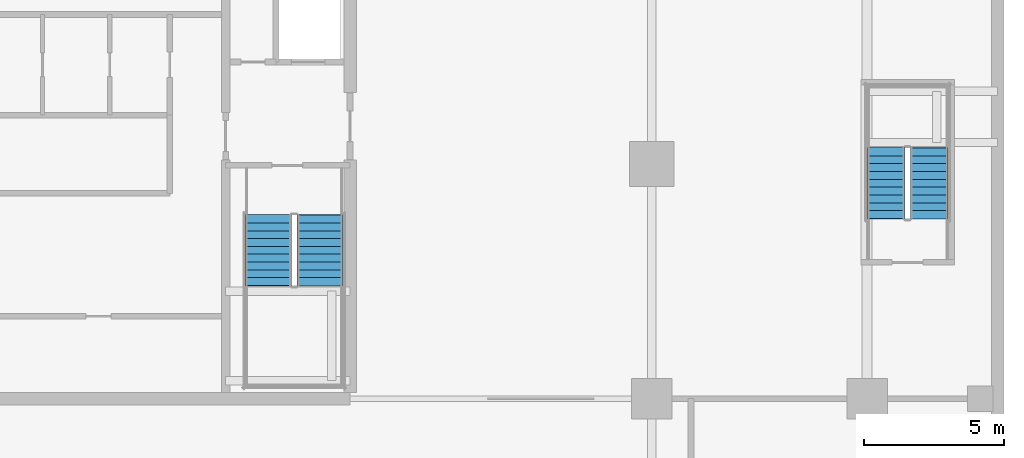
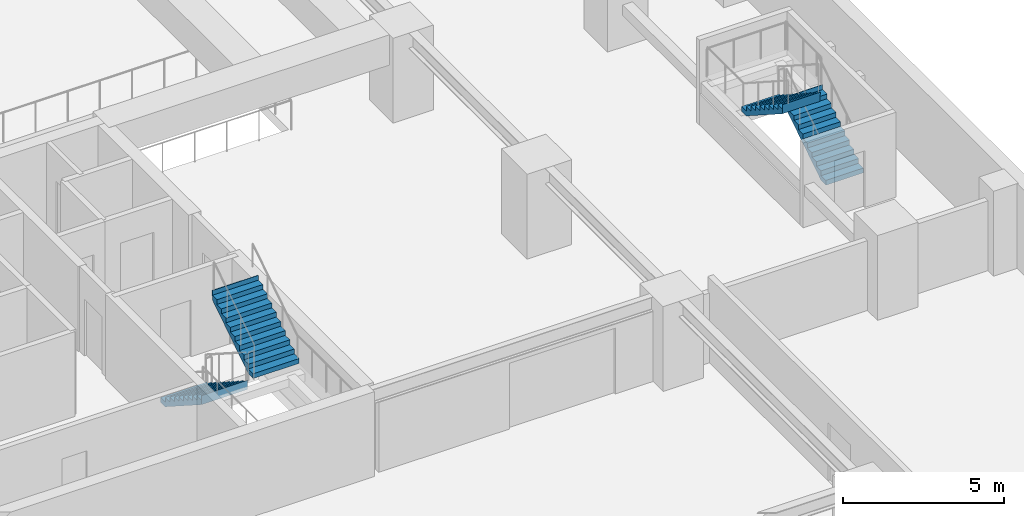
# One storey, part 7 of 10: 4 stair flights, 2 elements without a shape of their own.
"""IFC4 building model written with IfcOpenShell, lengths in metres."""

from ifc_helpers import new_model, si_unit, direction, frame, origin, place, context, subcontext, project, spatial, polygons, material, type_object, element, aggregate, save


model = new_model("IFC4")

# Units and contexts
model_context = context("Model", 3, precision=1e-05, world=origin(), true_north=direction((0.0, 1.0)))
body_context = subcontext(model_context, "Body", "Model", "MODEL_VIEW")
ifc_project = project(units=[si_unit("LENGTHUNIT", "METRE"), si_unit("AREAUNIT", "SQUARE_METRE"), si_unit("VOLUMEUNIT", "CUBIC_METRE"), si_unit("PLANEANGLEUNIT", "RADIAN"), si_unit("MASSUNIT", "GRAM", prefix="KILO")], contexts=[model_context])

# Site, building, storey
site_placement = place(None, origin())
site = spatial("IfcSite", under=ifc_project, at=site_placement, CompositionType="ELEMENT")
building_placement = place(site_placement, origin())
building = spatial("IfcBuilding", under=site, at=building_placement, Name="Serunith Strait Residences", CompositionType="ELEMENT")
storey_placement = place(building_placement, frame((0.0, 0.0, -3.60009765625)))
storey = spatial("IfcBuildingStorey", under=building, at=storey_placement, Name="B01", CompositionType="ELEMENT", Elevation=-3.60009765625)

# Stair, stair flights
ifc_material = material(Name="Concrete C50/60", Category="concrete")
stair_type_1 = type_object("IfcStairType", Name="STR-BSMT-6", PredefinedType="HALF_TURN_STAIR", material=ifc_material)
stair_1_placement = place(storey_placement, origin())
stair_1 = element("IfcStair", 1, at=stair_1_placement, inside=storey, type_object=stair_type_1, Name="B01 Basement Escape Stair ST-6", PredefinedType="HALF_TURN_STAIR")
stair_flight_type_1 = type_object("IfcStairFlightType", Name="FLT-BSMT-6", PredefinedType="STRAIGHT", material=ifc_material)
stair_flight_1_placement = place(storey_placement, frame((62.125, 23.25, 0.0), z_axis=(0.0, 0.0, 1.0), x_axis=(0.0, 1.0, 0.0)))
stair_flight_1 = element("IfcStairFlight", 2, at=stair_flight_1_placement, type_object=stair_flight_type_1, Name="ST-6 flight 1", NumberOfRisers=10, NumberOfTreads=9, PredefinedType="STRAIGHT", RiserHeight=0.18, TreadLength=0.28, context=body_context, shape_type="Tessellation", body=[
    polygons([(-0.02001953125, -0.675048828125, 0.0), (-0.02001953125, -0.675048828125, 0.179931640625), (0.280029296875, -0.675048828125, 0.179931640625), (0.280029296875, -0.675048828125, 0.360107421875), (0.56005859375, -0.675048828125, 0.360107421875), (0.56005859375, -0.675048828125, 0.5400390625), (0.840087890625, -0.675048828125, 0.5400390625), (0.840087890625, -0.675048828125, 0.719970703125), (1.1201171875, -0.675048828125, 0.719970703125), (1.1201171875, -0.675048828125, 0.89990234375), (1.39990234375, -0.675048828125, 0.89990234375), (1.39990234375, -0.675048828125, 1.080078125), (1.679931640625, -0.675048828125, 1.080078125), (1.679931640625, -0.675048828125, 1.260009765625), (1.9599609375, -0.675048828125, 1.260009765625), (1.9599609375, -0.675048828125, 1.43994140625), (2.239990234375, -0.675048828125, 1.43994140625), (2.239990234375, -0.675048828125, 1.6201171875), (2.52001953125, -0.675048828125, 1.6201171875), (2.52001953125, -0.675048828125, 1.800048828125), (2.5400390625, -0.675048828125, 1.800048828125), (2.5400390625, -0.675048828125, 1.739990234375), (2.52001953125, -0.675048828125, 1.44189453125), (0.277099609375, -0.675048828125, 0.0), (-0.02001953125, -0.33740234375, 0.0), (-0.02001953125, -0.33740234375, 0.179931640625), (0.280029296875, -0.33740234375, 0.179931640625), (0.280029296875, -0.33740234375, 0.360107421875), (0.56005859375, -0.33740234375, 0.360107421875), (0.56005859375, -0.33740234375, 0.5400390625), (0.840087890625, -0.33740234375, 0.5400390625), (0.840087890625, -0.33740234375, 0.719970703125), (1.1201171875, -0.33740234375, 0.719970703125), (1.1201171875, -0.33740234375, 0.89990234375), (1.39990234375, -0.33740234375, 0.89990234375), (1.39990234375, -0.33740234375, 1.080078125), (1.679931640625, -0.33740234375, 1.080078125), (1.679931640625, -0.33740234375, 1.260009765625), (1.9599609375, -0.33740234375, 1.260009765625), (1.9599609375, -0.33740234375, 1.43994140625), (2.239990234375, -0.33740234375, 1.43994140625), (2.239990234375, -0.33740234375, 1.6201171875), (2.52001953125, -0.33740234375, 1.6201171875), (2.52001953125, -0.33740234375, 1.800048828125), (2.5400390625, -0.33740234375, 1.800048828125), (2.5400390625, -0.33740234375, 1.739990234375), (2.52001953125, -0.33740234375, 1.44189453125), (0.277099609375, -0.33740234375, 0.0), (-0.02001953125, 0.0, 0.0), (-0.02001953125, 0.0, 0.179931640625), (0.280029296875, 0.0, 0.179931640625), (0.280029296875, 0.0, 0.360107421875), (0.56005859375, 0.0, 0.360107421875), (0.56005859375, 0.0, 0.5400390625), (0.840087890625, 0.0, 0.5400390625), (0.840087890625, 0.0, 0.719970703125), (1.1201171875, 0.0, 0.719970703125), (1.1201171875, 0.0, 0.89990234375), (1.39990234375, 0.0, 0.89990234375), (1.39990234375, 0.0, 1.080078125), (1.679931640625, 0.0, 1.080078125), (1.679931640625, 0.0, 1.260009765625), (1.9599609375, 0.0, 1.260009765625), (1.9599609375, 0.0, 1.43994140625), (2.239990234375, 0.0, 1.43994140625), (2.239990234375, 0.0, 1.6201171875), (2.52001953125, 0.0, 1.6201171875), (2.52001953125, 0.0, 1.800048828125), (2.5400390625, 0.0, 1.800048828125), (2.5400390625, 0.0, 1.739990234375), (2.52001953125, 0.0, 1.44189453125), (0.277099609375, 0.0, 0.0), (-0.02001953125, 0.33740234375, 0.0), (-0.02001953125, 0.33740234375, 0.179931640625), (0.280029296875, 0.33740234375, 0.179931640625), (0.280029296875, 0.33740234375, 0.360107421875), (0.56005859375, 0.33740234375, 0.360107421875), (0.56005859375, 0.33740234375, 0.5400390625), (0.840087890625, 0.33740234375, 0.5400390625), (0.840087890625, 0.33740234375, 0.719970703125), (1.1201171875, 0.33740234375, 0.719970703125), (1.1201171875, 0.33740234375, 0.89990234375), (1.39990234375, 0.33740234375, 0.89990234375), (1.39990234375, 0.33740234375, 1.080078125), (1.679931640625, 0.33740234375, 1.080078125), (1.679931640625, 0.33740234375, 1.260009765625), (1.9599609375, 0.33740234375, 1.260009765625), (1.9599609375, 0.33740234375, 1.43994140625), (2.239990234375, 0.33740234375, 1.43994140625), (2.239990234375, 0.33740234375, 1.6201171875), (2.52001953125, 0.33740234375, 1.6201171875), (2.52001953125, 0.33740234375, 1.800048828125), (2.5400390625, 0.33740234375, 1.800048828125), (2.5400390625, 0.33740234375, 1.739990234375), (2.52001953125, 0.33740234375, 1.44189453125), (0.277099609375, 0.33740234375, 0.0), (-0.02001953125, 0.675048828125, 0.0), (-0.02001953125, 0.675048828125, 0.179931640625), (0.280029296875, 0.675048828125, 0.179931640625), (0.280029296875, 0.675048828125, 0.360107421875), (0.56005859375, 0.675048828125, 0.360107421875), (0.56005859375, 0.675048828125, 0.5400390625), (0.840087890625, 0.675048828125, 0.5400390625), (0.840087890625, 0.675048828125, 0.719970703125), (1.1201171875, 0.675048828125, 0.719970703125), (1.1201171875, 0.675048828125, 0.89990234375), (1.39990234375, 0.675048828125, 0.89990234375), (1.39990234375, 0.675048828125, 1.080078125), (1.679931640625, 0.675048828125, 1.080078125), (1.679931640625, 0.675048828125, 1.260009765625), (1.9599609375, 0.675048828125, 1.260009765625), (1.9599609375, 0.675048828125, 1.43994140625), (2.239990234375, 0.675048828125, 1.43994140625), (2.239990234375, 0.675048828125, 1.6201171875), (2.52001953125, 0.675048828125, 1.6201171875), (2.52001953125, 0.675048828125, 1.800048828125), (2.5400390625, 0.675048828125, 1.800048828125), (2.5400390625, 0.675048828125, 1.739990234375), (2.52001953125, 0.675048828125, 1.44189453125), (0.277099609375, 0.675048828125, 0.0)], [[[1, 2, 26, 25]], [[2, 3, 27, 26]], [[3, 4, 28, 27]], [[4, 5, 29, 28]], [[5, 6, 30, 29]], [[6, 7, 31, 30]], [[7, 8, 32, 31]], [[8, 9, 33, 32]], [[9, 10, 34, 33]], [[10, 11, 35, 34]], [[11, 12, 36, 35]], [[12, 13, 37, 36]], [[13, 14, 38, 37]], [[14, 15, 39, 38]], [[15, 16, 40, 39]], [[16, 17, 41, 40]], [[17, 18, 42, 41]], [[18, 19, 43, 42]], [[19, 20, 44, 43]], [[20, 21, 45, 44]], [[21, 22, 46, 45]], [[22, 23, 47, 46]], [[23, 24, 48, 47]], [[24, 1, 25, 48]], [[25, 26, 50, 49]], [[26, 27, 51, 50]], [[27, 28, 52, 51]], [[28, 29, 53, 52]], [[29, 30, 54, 53]], [[30, 31, 55, 54]], [[31, 32, 56, 55]], [[32, 33, 57, 56]], [[33, 34, 58, 57]], [[34, 35, 59, 58]], [[35, 36, 60, 59]], [[36, 37, 61, 60]], [[37, 38, 62, 61]], [[38, 39, 63, 62]], [[39, 40, 64, 63]], [[40, 41, 65, 64]], [[41, 42, 66, 65]], [[42, 43, 67, 66]], [[43, 44, 68, 67]], [[44, 45, 69, 68]], [[45, 46, 70, 69]], [[46, 47, 71, 70]], [[47, 48, 72, 71]], [[48, 25, 49, 72]], [[49, 50, 74, 73]], [[50, 51, 75, 74]], [[51, 52, 76, 75]], [[52, 53, 77, 76]], [[53, 54, 78, 77]], [[54, 55, 79, 78]], [[55, 56, 80, 79]], [[56, 57, 81, 80]], [[57, 58, 82, 81]], [[58, 59, 83, 82]], [[59, 60, 84, 83]], [[60, 61, 85, 84]], [[61, 62, 86, 85]], [[62, 63, 87, 86]], [[63, 64, 88, 87]], [[64, 65, 89, 88]], [[65, 66, 90, 89]], [[66, 67, 91, 90]], [[67, 68, 92, 91]], [[68, 69, 93, 92]], [[69, 70, 94, 93]], [[70, 71, 95, 94]], [[71, 72, 96, 95]], [[72, 49, 73, 96]], [[73, 74, 98, 97]], [[74, 75, 99, 98]], [[75, 76, 100, 99]], [[76, 77, 101, 100]], [[77, 78, 102, 101]], [[78, 79, 103, 102]], [[79, 80, 104, 103]], [[80, 81, 105, 104]], [[81, 82, 106, 105]], [[82, 83, 107, 106]], [[83, 84, 108, 107]], [[84, 85, 109, 108]], [[85, 86, 110, 109]], [[86, 87, 111, 110]], [[87, 88, 112, 111]], [[88, 89, 113, 112]], [[89, 90, 114, 113]], [[90, 91, 115, 114]], [[91, 92, 116, 115]], [[92, 93, 117, 116]], [[93, 94, 118, 117]], [[94, 95, 119, 118]], [[95, 96, 120, 119]], [[96, 73, 97, 120]], [[24, 23, 22, 21, 20, 19, 18, 17, 16, 15, 14, 13, 12, 11, 10, 9, 8, 7, 6, 5, 4, 3, 2, 1]], [[97, 98, 99, 100, 101, 102, 103, 104, 105, 106, 107, 108, 109, 110, 111, 112, 113, 114, 115, 116, 117, 118, 119, 120]]], closed=True),
])
stair_flight_2_placement = place(storey_placement, frame((60.574951171875, 25.77001953125, 1.800048828125), z_axis=(0.0, 0.0, 1.0), x_axis=(0.0, -1.0, 0.0)))
stair_flight_2 = element("IfcStairFlight", 3, at=stair_flight_2_placement, type_object=stair_flight_type_1, Name="ST-6 flight 2", NumberOfRisers=10, NumberOfTreads=9, PredefinedType="STRAIGHT", RiserHeight=0.18, TreadLength=0.28, context=body_context, shape_type="Tessellation", body=[
    polygons([(-0.02001953125, -0.675048828125, 0.0), (-0.02001953125, -0.675048828125, 0.179931640625), (0.280029296875, -0.675048828125, 0.179931640625), (0.280029296875, -0.675048828125, 0.360107421875), (0.56005859375, -0.675048828125, 0.360107421875), (0.56005859375, -0.675048828125, 0.5400390625), (0.840087890625, -0.675048828125, 0.5400390625), (0.840087890625, -0.675048828125, 0.719970703125), (1.1201171875, -0.675048828125, 0.719970703125), (1.1201171875, -0.675048828125, 0.89990234375), (1.39990234375, -0.675048828125, 0.89990234375), (1.39990234375, -0.675048828125, 1.080078125), (1.679931640625, -0.675048828125, 1.080078125), (1.679931640625, -0.675048828125, 1.260009765625), (1.9599609375, -0.675048828125, 1.260009765625), (1.9599609375, -0.675048828125, 1.43994140625), (2.239990234375, -0.675048828125, 1.43994140625), (2.239990234375, -0.675048828125, 1.6201171875), (2.52001953125, -0.675048828125, 1.6201171875), (2.52001953125, -0.675048828125, 1.800048828125), (2.5400390625, -0.675048828125, 1.800048828125), (2.5400390625, -0.675048828125, 1.739990234375), (2.52001953125, -0.675048828125, 1.44189453125), (0.277099609375, -0.675048828125, 0.0), (-0.02001953125, -0.33740234375, 0.0), (-0.02001953125, -0.33740234375, 0.179931640625), (0.280029296875, -0.33740234375, 0.179931640625), (0.280029296875, -0.33740234375, 0.360107421875), (0.56005859375, -0.33740234375, 0.360107421875), (0.56005859375, -0.33740234375, 0.5400390625), (0.840087890625, -0.33740234375, 0.5400390625), (0.840087890625, -0.33740234375, 0.719970703125), (1.1201171875, -0.33740234375, 0.719970703125), (1.1201171875, -0.33740234375, 0.89990234375), (1.39990234375, -0.33740234375, 0.89990234375), (1.39990234375, -0.33740234375, 1.080078125), (1.679931640625, -0.33740234375, 1.080078125), (1.679931640625, -0.33740234375, 1.260009765625), (1.9599609375, -0.33740234375, 1.260009765625), (1.9599609375, -0.33740234375, 1.43994140625), (2.239990234375, -0.33740234375, 1.43994140625), (2.239990234375, -0.33740234375, 1.6201171875), (2.52001953125, -0.33740234375, 1.6201171875), (2.52001953125, -0.33740234375, 1.800048828125), (2.5400390625, -0.33740234375, 1.800048828125), (2.5400390625, -0.33740234375, 1.739990234375), (2.52001953125, -0.33740234375, 1.44189453125), (0.277099609375, -0.33740234375, 0.0), (-0.02001953125, 0.0, 0.0), (-0.02001953125, 0.0, 0.179931640625), (0.280029296875, 0.0, 0.179931640625), (0.280029296875, 0.0, 0.360107421875), (0.56005859375, 0.0, 0.360107421875), (0.56005859375, 0.0, 0.5400390625), (0.840087890625, 0.0, 0.5400390625), (0.840087890625, 0.0, 0.719970703125), (1.1201171875, 0.0, 0.719970703125), (1.1201171875, 0.0, 0.89990234375), (1.39990234375, 0.0, 0.89990234375), (1.39990234375, 0.0, 1.080078125), (1.679931640625, 0.0, 1.080078125), (1.679931640625, 0.0, 1.260009765625), (1.9599609375, 0.0, 1.260009765625), (1.9599609375, 0.0, 1.43994140625), (2.239990234375, 0.0, 1.43994140625), (2.239990234375, 0.0, 1.6201171875), (2.52001953125, 0.0, 1.6201171875), (2.52001953125, 0.0, 1.800048828125), (2.5400390625, 0.0, 1.800048828125), (2.5400390625, 0.0, 1.739990234375), (2.52001953125, 0.0, 1.44189453125), (0.277099609375, 0.0, 0.0), (-0.02001953125, 0.33740234375, 0.0), (-0.02001953125, 0.33740234375, 0.179931640625), (0.280029296875, 0.33740234375, 0.179931640625), (0.280029296875, 0.33740234375, 0.360107421875), (0.56005859375, 0.33740234375, 0.360107421875), (0.56005859375, 0.33740234375, 0.5400390625), (0.840087890625, 0.33740234375, 0.5400390625), (0.840087890625, 0.33740234375, 0.719970703125), (1.1201171875, 0.33740234375, 0.719970703125), (1.1201171875, 0.33740234375, 0.89990234375), (1.39990234375, 0.33740234375, 0.89990234375), (1.39990234375, 0.33740234375, 1.080078125), (1.679931640625, 0.33740234375, 1.080078125), (1.679931640625, 0.33740234375, 1.260009765625), (1.9599609375, 0.33740234375, 1.260009765625), (1.9599609375, 0.33740234375, 1.43994140625), (2.239990234375, 0.33740234375, 1.43994140625), (2.239990234375, 0.33740234375, 1.6201171875), (2.52001953125, 0.33740234375, 1.6201171875), (2.52001953125, 0.33740234375, 1.800048828125), (2.5400390625, 0.33740234375, 1.800048828125), (2.5400390625, 0.33740234375, 1.739990234375), (2.52001953125, 0.33740234375, 1.44189453125), (0.277099609375, 0.33740234375, 0.0), (-0.02001953125, 0.675048828125, 0.0), (-0.02001953125, 0.675048828125, 0.179931640625), (0.280029296875, 0.675048828125, 0.179931640625), (0.280029296875, 0.675048828125, 0.360107421875), (0.56005859375, 0.675048828125, 0.360107421875), (0.56005859375, 0.675048828125, 0.5400390625), (0.840087890625, 0.675048828125, 0.5400390625), (0.840087890625, 0.675048828125, 0.719970703125), (1.1201171875, 0.675048828125, 0.719970703125), (1.1201171875, 0.675048828125, 0.89990234375), (1.39990234375, 0.675048828125, 0.89990234375), (1.39990234375, 0.675048828125, 1.080078125), (1.679931640625, 0.675048828125, 1.080078125), (1.679931640625, 0.675048828125, 1.260009765625), (1.9599609375, 0.675048828125, 1.260009765625), (1.9599609375, 0.675048828125, 1.43994140625), (2.239990234375, 0.675048828125, 1.43994140625), (2.239990234375, 0.675048828125, 1.6201171875), (2.52001953125, 0.675048828125, 1.6201171875), (2.52001953125, 0.675048828125, 1.800048828125), (2.5400390625, 0.675048828125, 1.800048828125), (2.5400390625, 0.675048828125, 1.739990234375), (2.52001953125, 0.675048828125, 1.44189453125), (0.277099609375, 0.675048828125, 0.0)], [[[1, 2, 26, 25]], [[2, 3, 27, 26]], [[3, 4, 28, 27]], [[4, 5, 29, 28]], [[5, 6, 30, 29]], [[6, 7, 31, 30]], [[7, 8, 32, 31]], [[8, 9, 33, 32]], [[9, 10, 34, 33]], [[10, 11, 35, 34]], [[11, 12, 36, 35]], [[12, 13, 37, 36]], [[13, 14, 38, 37]], [[14, 15, 39, 38]], [[15, 16, 40, 39]], [[16, 17, 41, 40]], [[17, 18, 42, 41]], [[18, 19, 43, 42]], [[19, 20, 44, 43]], [[20, 21, 45, 44]], [[21, 22, 46, 45]], [[22, 23, 47, 46]], [[23, 24, 48, 47]], [[24, 1, 25, 48]], [[25, 26, 50, 49]], [[26, 27, 51, 50]], [[27, 28, 52, 51]], [[28, 29, 53, 52]], [[29, 30, 54, 53]], [[30, 31, 55, 54]], [[31, 32, 56, 55]], [[32, 33, 57, 56]], [[33, 34, 58, 57]], [[34, 35, 59, 58]], [[35, 36, 60, 59]], [[36, 37, 61, 60]], [[37, 38, 62, 61]], [[38, 39, 63, 62]], [[39, 40, 64, 63]], [[40, 41, 65, 64]], [[41, 42, 66, 65]], [[42, 43, 67, 66]], [[43, 44, 68, 67]], [[44, 45, 69, 68]], [[45, 46, 70, 69]], [[46, 47, 71, 70]], [[47, 48, 72, 71]], [[48, 25, 49, 72]], [[49, 50, 74, 73]], [[50, 51, 75, 74]], [[51, 52, 76, 75]], [[52, 53, 77, 76]], [[53, 54, 78, 77]], [[54, 55, 79, 78]], [[55, 56, 80, 79]], [[56, 57, 81, 80]], [[57, 58, 82, 81]], [[58, 59, 83, 82]], [[59, 60, 84, 83]], [[60, 61, 85, 84]], [[61, 62, 86, 85]], [[62, 63, 87, 86]], [[63, 64, 88, 87]], [[64, 65, 89, 88]], [[65, 66, 90, 89]], [[66, 67, 91, 90]], [[67, 68, 92, 91]], [[68, 69, 93, 92]], [[69, 70, 94, 93]], [[70, 71, 95, 94]], [[71, 72, 96, 95]], [[72, 49, 73, 96]], [[73, 74, 98, 97]], [[74, 75, 99, 98]], [[75, 76, 100, 99]], [[76, 77, 101, 100]], [[77, 78, 102, 101]], [[78, 79, 103, 102]], [[79, 80, 104, 103]], [[80, 81, 105, 104]], [[81, 82, 106, 105]], [[82, 83, 107, 106]], [[83, 84, 108, 107]], [[84, 85, 109, 108]], [[85, 86, 110, 109]], [[86, 87, 111, 110]], [[87, 88, 112, 111]], [[88, 89, 113, 112]], [[89, 90, 114, 113]], [[90, 91, 115, 114]], [[91, 92, 116, 115]], [[92, 93, 117, 116]], [[93, 94, 118, 117]], [[94, 95, 119, 118]], [[95, 96, 120, 119]], [[96, 73, 97, 120]], [[24, 23, 22, 21, 20, 19, 18, 17, 16, 15, 14, 13, 12, 11, 10, 9, 8, 7, 6, 5, 4, 3, 2, 1]], [[97, 98, 99, 100, 101, 102, 103, 104, 105, 106, 107, 108, 109, 110, 111, 112, 113, 114, 115, 116, 117, 118, 119, 120]]], closed=True),
])
aggregate(stair_1, [stair_flight_1, stair_flight_2])

stair_type_2 = type_object("IfcStairType", Name="STR-CORE-2", PredefinedType="HALF_TURN_STAIR", material=ifc_material)
stair_2_placement = place(storey_placement, origin())
stair_2 = element("IfcStair", 4, at=stair_2_placement, inside=storey, type_object=stair_type_2, Name="B01 Protected Escape Stair ST-2", PredefinedType="HALF_TURN_STAIR")
stair_flight_type_2 = type_object("IfcStairFlightType", Name="FLT-CORE-2", PredefinedType="STRAIGHT", material=ifc_material)
stair_flight_3_placement = place(storey_placement, frame((38.47509765625, 23.3701171875, 0.0), z_axis=(0.0, 0.0, 1.0), x_axis=(0.0, -1.0, 0.0)))
stair_flight_3 = element("IfcStairFlight", 5, at=stair_flight_3_placement, type_object=stair_flight_type_2, Name="ST-2 flight 1", NumberOfRisers=10, NumberOfTreads=9, PredefinedType="STRAIGHT", RiserHeight=0.18, TreadLength=0.28, context=body_context, shape_type="Tessellation", body=[
    polygons([(-0.02001953125, -0.824951171875, 0.0), (-0.02001953125, -0.824951171875, 0.179931640625), (0.280029296875, -0.824951171875, 0.179931640625), (0.280029296875, -0.824951171875, 0.360107421875), (0.56005859375, -0.824951171875, 0.360107421875), (0.56005859375, -0.824951171875, 0.5400390625), (0.840087890625, -0.824951171875, 0.5400390625), (0.840087890625, -0.824951171875, 0.719970703125), (1.1201171875, -0.824951171875, 0.719970703125), (1.1201171875, -0.824951171875, 0.89990234375), (1.39990234375, -0.824951171875, 0.89990234375), (1.39990234375, -0.824951171875, 1.080078125), (1.679931640625, -0.824951171875, 1.080078125), (1.679931640625, -0.824951171875, 1.260009765625), (1.9599609375, -0.824951171875, 1.260009765625), (1.9599609375, -0.824951171875, 1.43994140625), (2.239990234375, -0.824951171875, 1.43994140625), (2.239990234375, -0.824951171875, 1.6201171875), (2.52001953125, -0.824951171875, 1.6201171875), (2.52001953125, -0.824951171875, 1.800048828125), (2.5400390625, -0.824951171875, 1.800048828125), (2.5400390625, -0.824951171875, 1.739990234375), (2.52001953125, -0.824951171875, 1.44189453125), (0.277099609375, -0.824951171875, 0.0), (-0.02001953125, -0.41259765625, 0.0), (-0.02001953125, -0.41259765625, 0.179931640625), (0.280029296875, -0.41259765625, 0.179931640625), (0.280029296875, -0.41259765625, 0.360107421875), (0.56005859375, -0.41259765625, 0.360107421875), (0.56005859375, -0.41259765625, 0.5400390625), (0.840087890625, -0.41259765625, 0.5400390625), (0.840087890625, -0.41259765625, 0.719970703125), (1.1201171875, -0.41259765625, 0.719970703125), (1.1201171875, -0.41259765625, 0.89990234375), (1.39990234375, -0.41259765625, 0.89990234375), (1.39990234375, -0.41259765625, 1.080078125), (1.679931640625, -0.41259765625, 1.080078125), (1.679931640625, -0.41259765625, 1.260009765625), (1.9599609375, -0.41259765625, 1.260009765625), (1.9599609375, -0.41259765625, 1.43994140625), (2.239990234375, -0.41259765625, 1.43994140625), (2.239990234375, -0.41259765625, 1.6201171875), (2.52001953125, -0.41259765625, 1.6201171875), (2.52001953125, -0.41259765625, 1.800048828125), (2.5400390625, -0.41259765625, 1.800048828125), (2.5400390625, -0.41259765625, 1.739990234375), (2.52001953125, -0.41259765625, 1.44189453125), (0.277099609375, -0.41259765625, 0.0), (-0.02001953125, 0.0, 0.0), (-0.02001953125, 0.0, 0.179931640625), (0.280029296875, 0.0, 0.179931640625), (0.280029296875, 0.0, 0.360107421875), (0.56005859375, 0.0, 0.360107421875), (0.56005859375, 0.0, 0.5400390625), (0.840087890625, 0.0, 0.5400390625), (0.840087890625, 0.0, 0.719970703125), (1.1201171875, 0.0, 0.719970703125), (1.1201171875, 0.0, 0.89990234375), (1.39990234375, 0.0, 0.89990234375), (1.39990234375, 0.0, 1.080078125), (1.679931640625, 0.0, 1.080078125), (1.679931640625, 0.0, 1.260009765625), (1.9599609375, 0.0, 1.260009765625), (1.9599609375, 0.0, 1.43994140625), (2.239990234375, 0.0, 1.43994140625), (2.239990234375, 0.0, 1.6201171875), (2.52001953125, 0.0, 1.6201171875), (2.52001953125, 0.0, 1.800048828125), (2.5400390625, 0.0, 1.800048828125), (2.5400390625, 0.0, 1.739990234375), (2.52001953125, 0.0, 1.44189453125), (0.277099609375, 0.0, 0.0), (-0.02001953125, 0.41259765625, 0.0), (-0.02001953125, 0.41259765625, 0.179931640625), (0.280029296875, 0.41259765625, 0.179931640625), (0.280029296875, 0.41259765625, 0.360107421875), (0.56005859375, 0.41259765625, 0.360107421875), (0.56005859375, 0.41259765625, 0.5400390625), (0.840087890625, 0.41259765625, 0.5400390625), (0.840087890625, 0.41259765625, 0.719970703125), (1.1201171875, 0.41259765625, 0.719970703125), (1.1201171875, 0.41259765625, 0.89990234375), (1.39990234375, 0.41259765625, 0.89990234375), (1.39990234375, 0.41259765625, 1.080078125), (1.679931640625, 0.41259765625, 1.080078125), (1.679931640625, 0.41259765625, 1.260009765625), (1.9599609375, 0.41259765625, 1.260009765625), (1.9599609375, 0.41259765625, 1.43994140625), (2.239990234375, 0.41259765625, 1.43994140625), (2.239990234375, 0.41259765625, 1.6201171875), (2.52001953125, 0.41259765625, 1.6201171875), (2.52001953125, 0.41259765625, 1.800048828125), (2.5400390625, 0.41259765625, 1.800048828125), (2.5400390625, 0.41259765625, 1.739990234375), (2.52001953125, 0.41259765625, 1.44189453125), (0.277099609375, 0.41259765625, 0.0), (-0.02001953125, 0.824951171875, 0.0), (-0.02001953125, 0.824951171875, 0.179931640625), (0.280029296875, 0.824951171875, 0.179931640625), (0.280029296875, 0.824951171875, 0.360107421875), (0.56005859375, 0.824951171875, 0.360107421875), (0.56005859375, 0.824951171875, 0.5400390625), (0.840087890625, 0.824951171875, 0.5400390625), (0.840087890625, 0.824951171875, 0.719970703125), (1.1201171875, 0.824951171875, 0.719970703125), (1.1201171875, 0.824951171875, 0.89990234375), (1.39990234375, 0.824951171875, 0.89990234375), (1.39990234375, 0.824951171875, 1.080078125), (1.679931640625, 0.824951171875, 1.080078125), (1.679931640625, 0.824951171875, 1.260009765625), (1.9599609375, 0.824951171875, 1.260009765625), (1.9599609375, 0.824951171875, 1.43994140625), (2.239990234375, 0.824951171875, 1.43994140625), (2.239990234375, 0.824951171875, 1.6201171875), (2.52001953125, 0.824951171875, 1.6201171875), (2.52001953125, 0.824951171875, 1.800048828125), (2.5400390625, 0.824951171875, 1.800048828125), (2.5400390625, 0.824951171875, 1.739990234375), (2.52001953125, 0.824951171875, 1.44189453125), (0.277099609375, 0.824951171875, 0.0)], [[[1, 2, 26, 25]], [[2, 3, 27, 26]], [[3, 4, 28, 27]], [[4, 5, 29, 28]], [[5, 6, 30, 29]], [[6, 7, 31, 30]], [[7, 8, 32, 31]], [[8, 9, 33, 32]], [[9, 10, 34, 33]], [[10, 11, 35, 34]], [[11, 12, 36, 35]], [[12, 13, 37, 36]], [[13, 14, 38, 37]], [[14, 15, 39, 38]], [[15, 16, 40, 39]], [[16, 17, 41, 40]], [[17, 18, 42, 41]], [[18, 19, 43, 42]], [[19, 20, 44, 43]], [[20, 21, 45, 44]], [[21, 22, 46, 45]], [[22, 23, 47, 46]], [[23, 24, 48, 47]], [[24, 1, 25, 48]], [[25, 26, 50, 49]], [[26, 27, 51, 50]], [[27, 28, 52, 51]], [[28, 29, 53, 52]], [[29, 30, 54, 53]], [[30, 31, 55, 54]], [[31, 32, 56, 55]], [[32, 33, 57, 56]], [[33, 34, 58, 57]], [[34, 35, 59, 58]], [[35, 36, 60, 59]], [[36, 37, 61, 60]], [[37, 38, 62, 61]], [[38, 39, 63, 62]], [[39, 40, 64, 63]], [[40, 41, 65, 64]], [[41, 42, 66, 65]], [[42, 43, 67, 66]], [[43, 44, 68, 67]], [[44, 45, 69, 68]], [[45, 46, 70, 69]], [[46, 47, 71, 70]], [[47, 48, 72, 71]], [[48, 25, 49, 72]], [[49, 50, 74, 73]], [[50, 51, 75, 74]], [[51, 52, 76, 75]], [[52, 53, 77, 76]], [[53, 54, 78, 77]], [[54, 55, 79, 78]], [[55, 56, 80, 79]], [[56, 57, 81, 80]], [[57, 58, 82, 81]], [[58, 59, 83, 82]], [[59, 60, 84, 83]], [[60, 61, 85, 84]], [[61, 62, 86, 85]], [[62, 63, 87, 86]], [[63, 64, 88, 87]], [[64, 65, 89, 88]], [[65, 66, 90, 89]], [[66, 67, 91, 90]], [[67, 68, 92, 91]], [[68, 69, 93, 92]], [[69, 70, 94, 93]], [[70, 71, 95, 94]], [[71, 72, 96, 95]], [[72, 49, 73, 96]], [[73, 74, 98, 97]], [[74, 75, 99, 98]], [[75, 76, 100, 99]], [[76, 77, 101, 100]], [[77, 78, 102, 101]], [[78, 79, 103, 102]], [[79, 80, 104, 103]], [[80, 81, 105, 104]], [[81, 82, 106, 105]], [[82, 83, 107, 106]], [[83, 84, 108, 107]], [[84, 85, 109, 108]], [[85, 86, 110, 109]], [[86, 87, 111, 110]], [[87, 88, 112, 111]], [[88, 89, 113, 112]], [[89, 90, 114, 113]], [[90, 91, 115, 114]], [[91, 92, 116, 115]], [[92, 93, 117, 116]], [[93, 94, 118, 117]], [[94, 95, 119, 118]], [[95, 96, 120, 119]], [[96, 73, 97, 120]], [[24, 23, 22, 21, 20, 19, 18, 17, 16, 15, 14, 13, 12, 11, 10, 9, 8, 7, 6, 5, 4, 3, 2, 1]], [[97, 98, 99, 100, 101, 102, 103, 104, 105, 106, 107, 108, 109, 110, 111, 112, 113, 114, 115, 116, 117, 118, 119, 120]]], closed=True),
])
stair_flight_4_placement = place(storey_placement, frame((40.324951171875, 20.85009765625, 1.800048828125), z_axis=(0.0, 0.0, 1.0), x_axis=(0.0, 1.0, 0.0)))
stair_flight_4 = element("IfcStairFlight", 6, at=stair_flight_4_placement, type_object=stair_flight_type_2, Name="ST-2 flight 2", NumberOfRisers=10, NumberOfTreads=9, PredefinedType="STRAIGHT", RiserHeight=0.18, TreadLength=0.28, context=body_context, shape_type="Tessellation", body=[
    polygons([(-0.02001953125, -0.824951171875, 0.0), (-0.02001953125, -0.824951171875, 0.179931640625), (0.280029296875, -0.824951171875, 0.179931640625), (0.280029296875, -0.824951171875, 0.360107421875), (0.56005859375, -0.824951171875, 0.360107421875), (0.56005859375, -0.824951171875, 0.5400390625), (0.840087890625, -0.824951171875, 0.5400390625), (0.840087890625, -0.824951171875, 0.719970703125), (1.1201171875, -0.824951171875, 0.719970703125), (1.1201171875, -0.824951171875, 0.89990234375), (1.39990234375, -0.824951171875, 0.89990234375), (1.39990234375, -0.824951171875, 1.080078125), (1.679931640625, -0.824951171875, 1.080078125), (1.679931640625, -0.824951171875, 1.260009765625), (1.9599609375, -0.824951171875, 1.260009765625), (1.9599609375, -0.824951171875, 1.43994140625), (2.239990234375, -0.824951171875, 1.43994140625), (2.239990234375, -0.824951171875, 1.6201171875), (2.52001953125, -0.824951171875, 1.6201171875), (2.52001953125, -0.824951171875, 1.800048828125), (2.5400390625, -0.824951171875, 1.800048828125), (2.5400390625, -0.824951171875, 1.739990234375), (2.52001953125, -0.824951171875, 1.44189453125), (0.277099609375, -0.824951171875, 0.0), (-0.02001953125, -0.41259765625, 0.0), (-0.02001953125, -0.41259765625, 0.179931640625), (0.280029296875, -0.41259765625, 0.179931640625), (0.280029296875, -0.41259765625, 0.360107421875), (0.56005859375, -0.41259765625, 0.360107421875), (0.56005859375, -0.41259765625, 0.5400390625), (0.840087890625, -0.41259765625, 0.5400390625), (0.840087890625, -0.41259765625, 0.719970703125), (1.1201171875, -0.41259765625, 0.719970703125), (1.1201171875, -0.41259765625, 0.89990234375), (1.39990234375, -0.41259765625, 0.89990234375), (1.39990234375, -0.41259765625, 1.080078125), (1.679931640625, -0.41259765625, 1.080078125), (1.679931640625, -0.41259765625, 1.260009765625), (1.9599609375, -0.41259765625, 1.260009765625), (1.9599609375, -0.41259765625, 1.43994140625), (2.239990234375, -0.41259765625, 1.43994140625), (2.239990234375, -0.41259765625, 1.6201171875), (2.52001953125, -0.41259765625, 1.6201171875), (2.52001953125, -0.41259765625, 1.800048828125), (2.5400390625, -0.41259765625, 1.800048828125), (2.5400390625, -0.41259765625, 1.739990234375), (2.52001953125, -0.41259765625, 1.44189453125), (0.277099609375, -0.41259765625, 0.0), (-0.02001953125, 0.0, 0.0), (-0.02001953125, 0.0, 0.179931640625), (0.280029296875, 0.0, 0.179931640625), (0.280029296875, 0.0, 0.360107421875), (0.56005859375, 0.0, 0.360107421875), (0.56005859375, 0.0, 0.5400390625), (0.840087890625, 0.0, 0.5400390625), (0.840087890625, 0.0, 0.719970703125), (1.1201171875, 0.0, 0.719970703125), (1.1201171875, 0.0, 0.89990234375), (1.39990234375, 0.0, 0.89990234375), (1.39990234375, 0.0, 1.080078125), (1.679931640625, 0.0, 1.080078125), (1.679931640625, 0.0, 1.260009765625), (1.9599609375, 0.0, 1.260009765625), (1.9599609375, 0.0, 1.43994140625), (2.239990234375, 0.0, 1.43994140625), (2.239990234375, 0.0, 1.6201171875), (2.52001953125, 0.0, 1.6201171875), (2.52001953125, 0.0, 1.800048828125), (2.5400390625, 0.0, 1.800048828125), (2.5400390625, 0.0, 1.739990234375), (2.52001953125, 0.0, 1.44189453125), (0.277099609375, 0.0, 0.0), (-0.02001953125, 0.41259765625, 0.0), (-0.02001953125, 0.41259765625, 0.179931640625), (0.280029296875, 0.41259765625, 0.179931640625), (0.280029296875, 0.41259765625, 0.360107421875), (0.56005859375, 0.41259765625, 0.360107421875), (0.56005859375, 0.41259765625, 0.5400390625), (0.840087890625, 0.41259765625, 0.5400390625), (0.840087890625, 0.41259765625, 0.719970703125), (1.1201171875, 0.41259765625, 0.719970703125), (1.1201171875, 0.41259765625, 0.89990234375), (1.39990234375, 0.41259765625, 0.89990234375), (1.39990234375, 0.41259765625, 1.080078125), (1.679931640625, 0.41259765625, 1.080078125), (1.679931640625, 0.41259765625, 1.260009765625), (1.9599609375, 0.41259765625, 1.260009765625), (1.9599609375, 0.41259765625, 1.43994140625), (2.239990234375, 0.41259765625, 1.43994140625), (2.239990234375, 0.41259765625, 1.6201171875), (2.52001953125, 0.41259765625, 1.6201171875), (2.52001953125, 0.41259765625, 1.800048828125), (2.5400390625, 0.41259765625, 1.800048828125), (2.5400390625, 0.41259765625, 1.739990234375), (2.52001953125, 0.41259765625, 1.44189453125), (0.277099609375, 0.41259765625, 0.0), (-0.02001953125, 0.824951171875, 0.0), (-0.02001953125, 0.824951171875, 0.179931640625), (0.280029296875, 0.824951171875, 0.179931640625), (0.280029296875, 0.824951171875, 0.360107421875), (0.56005859375, 0.824951171875, 0.360107421875), (0.56005859375, 0.824951171875, 0.5400390625), (0.840087890625, 0.824951171875, 0.5400390625), (0.840087890625, 0.824951171875, 0.719970703125), (1.1201171875, 0.824951171875, 0.719970703125), (1.1201171875, 0.824951171875, 0.89990234375), (1.39990234375, 0.824951171875, 0.89990234375), (1.39990234375, 0.824951171875, 1.080078125), (1.679931640625, 0.824951171875, 1.080078125), (1.679931640625, 0.824951171875, 1.260009765625), (1.9599609375, 0.824951171875, 1.260009765625), (1.9599609375, 0.824951171875, 1.43994140625), (2.239990234375, 0.824951171875, 1.43994140625), (2.239990234375, 0.824951171875, 1.6201171875), (2.52001953125, 0.824951171875, 1.6201171875), (2.52001953125, 0.824951171875, 1.800048828125), (2.5400390625, 0.824951171875, 1.800048828125), (2.5400390625, 0.824951171875, 1.739990234375), (2.52001953125, 0.824951171875, 1.44189453125), (0.277099609375, 0.824951171875, 0.0)], [[[1, 2, 26, 25]], [[2, 3, 27, 26]], [[3, 4, 28, 27]], [[4, 5, 29, 28]], [[5, 6, 30, 29]], [[6, 7, 31, 30]], [[7, 8, 32, 31]], [[8, 9, 33, 32]], [[9, 10, 34, 33]], [[10, 11, 35, 34]], [[11, 12, 36, 35]], [[12, 13, 37, 36]], [[13, 14, 38, 37]], [[14, 15, 39, 38]], [[15, 16, 40, 39]], [[16, 17, 41, 40]], [[17, 18, 42, 41]], [[18, 19, 43, 42]], [[19, 20, 44, 43]], [[20, 21, 45, 44]], [[21, 22, 46, 45]], [[22, 23, 47, 46]], [[23, 24, 48, 47]], [[24, 1, 25, 48]], [[25, 26, 50, 49]], [[26, 27, 51, 50]], [[27, 28, 52, 51]], [[28, 29, 53, 52]], [[29, 30, 54, 53]], [[30, 31, 55, 54]], [[31, 32, 56, 55]], [[32, 33, 57, 56]], [[33, 34, 58, 57]], [[34, 35, 59, 58]], [[35, 36, 60, 59]], [[36, 37, 61, 60]], [[37, 38, 62, 61]], [[38, 39, 63, 62]], [[39, 40, 64, 63]], [[40, 41, 65, 64]], [[41, 42, 66, 65]], [[42, 43, 67, 66]], [[43, 44, 68, 67]], [[44, 45, 69, 68]], [[45, 46, 70, 69]], [[46, 47, 71, 70]], [[47, 48, 72, 71]], [[48, 25, 49, 72]], [[49, 50, 74, 73]], [[50, 51, 75, 74]], [[51, 52, 76, 75]], [[52, 53, 77, 76]], [[53, 54, 78, 77]], [[54, 55, 79, 78]], [[55, 56, 80, 79]], [[56, 57, 81, 80]], [[57, 58, 82, 81]], [[58, 59, 83, 82]], [[59, 60, 84, 83]], [[60, 61, 85, 84]], [[61, 62, 86, 85]], [[62, 63, 87, 86]], [[63, 64, 88, 87]], [[64, 65, 89, 88]], [[65, 66, 90, 89]], [[66, 67, 91, 90]], [[67, 68, 92, 91]], [[68, 69, 93, 92]], [[69, 70, 94, 93]], [[70, 71, 95, 94]], [[71, 72, 96, 95]], [[72, 49, 73, 96]], [[73, 74, 98, 97]], [[74, 75, 99, 98]], [[75, 76, 100, 99]], [[76, 77, 101, 100]], [[77, 78, 102, 101]], [[78, 79, 103, 102]], [[79, 80, 104, 103]], [[80, 81, 105, 104]], [[81, 82, 106, 105]], [[82, 83, 107, 106]], [[83, 84, 108, 107]], [[84, 85, 109, 108]], [[85, 86, 110, 109]], [[86, 87, 111, 110]], [[87, 88, 112, 111]], [[88, 89, 113, 112]], [[89, 90, 114, 113]], [[90, 91, 115, 114]], [[91, 92, 116, 115]], [[92, 93, 117, 116]], [[93, 94, 118, 117]], [[94, 95, 119, 118]], [[95, 96, 120, 119]], [[96, 73, 97, 120]], [[24, 23, 22, 21, 20, 19, 18, 17, 16, 15, 14, 13, 12, 11, 10, 9, 8, 7, 6, 5, 4, 3, 2, 1]], [[97, 98, 99, 100, 101, 102, 103, 104, 105, 106, 107, 108, 109, 110, 111, 112, 113, 114, 115, 116, 117, 118, 119, 120]]], closed=True),
])
aggregate(stair_2, [stair_flight_3, stair_flight_4])

save(model, "model.ifc")
